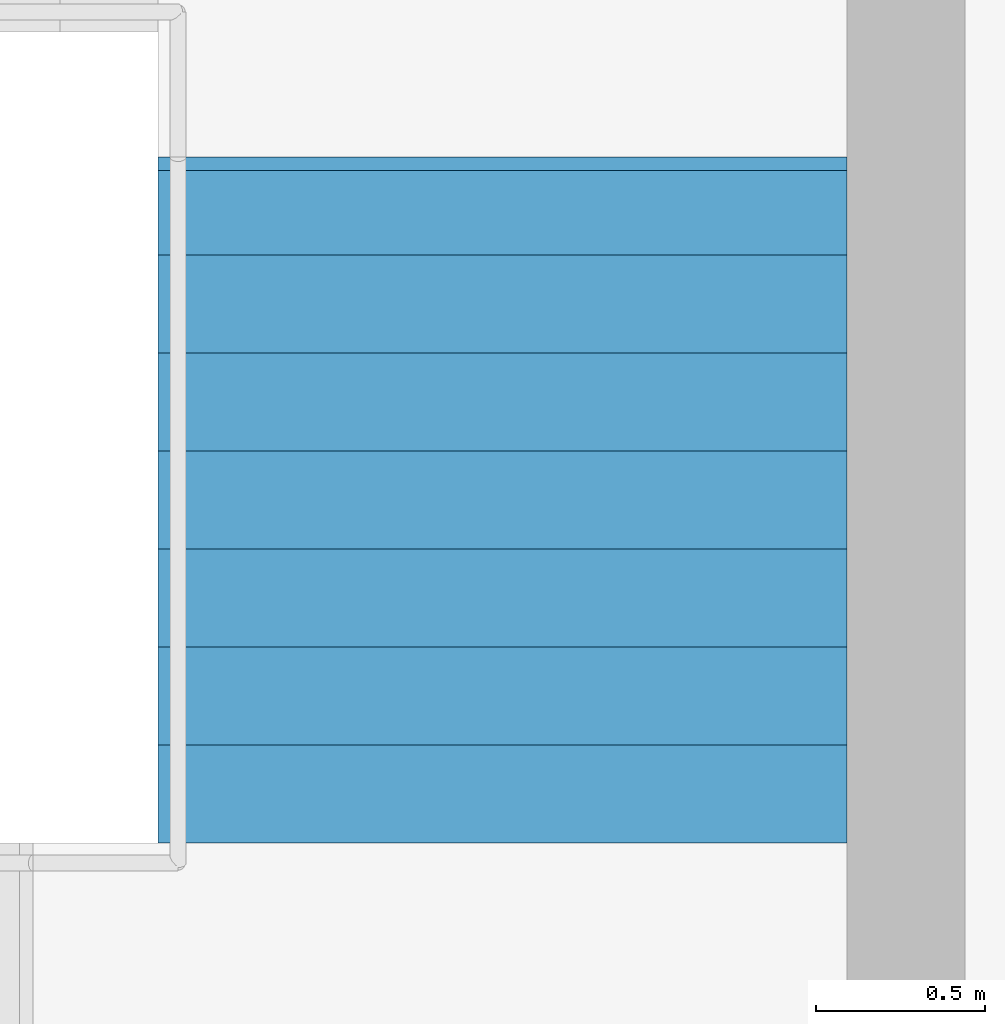
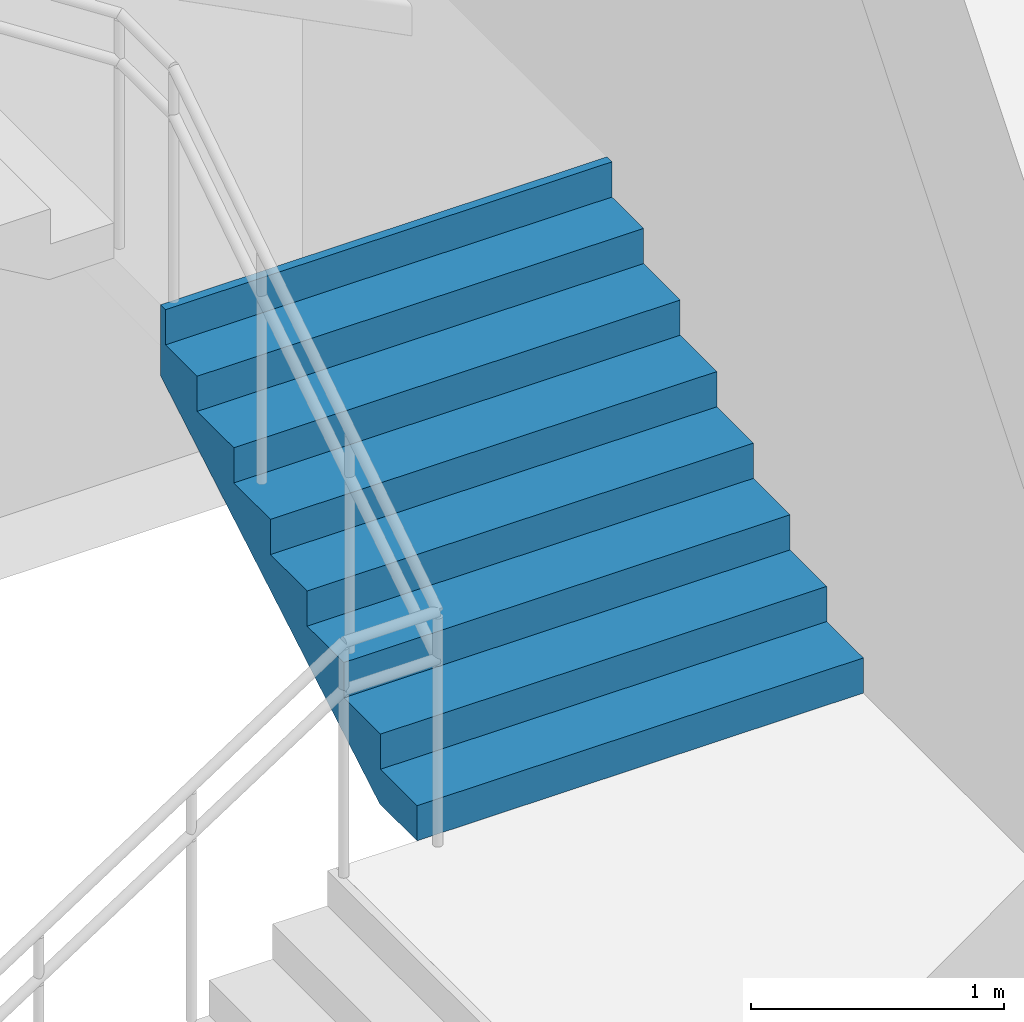
# One storey, part 28 of 50: 1 stair flight, 1 element without a shape of its own.
"""IFC4 building model written with IfcOpenShell, lengths in metres."""

from ifc_helpers import new_model, si_unit, direction, frame, origin, place, context, subcontext, project, spatial, triangles, material, type_object, element, aggregate, save


model = new_model("IFC4")

# Units and contexts
model_context = context("Model", 3, precision=1e-05, world=origin(), true_north=direction((0.0, 1.0)))
body_context = subcontext(model_context, "Body", "Model", "MODEL_VIEW")
ifc_project = project(units=[si_unit("LENGTHUNIT", "METRE"), si_unit("AREAUNIT", "SQUARE_METRE"), si_unit("VOLUMEUNIT", "CUBIC_METRE"), si_unit("PLANEANGLEUNIT", "RADIAN"), si_unit("MASSUNIT", "GRAM", prefix="KILO")], contexts=[model_context])

# Site, building, storey
site_placement = place(None, origin())
site = spatial("IfcSite", under=ifc_project, at=site_placement, CompositionType="ELEMENT")
building_placement = place(site_placement, origin())
building = spatial("IfcBuilding", under=site, at=building_placement, Name="Sillaruma Civic Art Gallery", CompositionType="ELEMENT")
storey_placement = place(building_placement, origin())
storey = spatial("IfcBuildingStorey", under=building, at=storey_placement, Name="L00", CompositionType="ELEMENT", Elevation=0.0)

# Stair, stair flight
ifc_material = material(Name="Concrete H35 (35 MPa)", Category="concrete")
stair_type = type_object("IfcStairType", Name="STR-4F-32", PredefinedType="USERDEFINED", material=ifc_material)
stair_placement = place(storey_placement, origin())
stair = element("IfcStair", 1, at=stair_placement, inside=storey, type_object=stair_type, Name="Protected Exit Stair ST-03 (West Bar South) (L00)", ObjectType="THREE_RETURN_STAIR", PredefinedType="USERDEFINED")
stair_flight_type = type_object("IfcStairFlightType", Name="SFL-STR-8", PredefinedType="STRAIGHT", material=ifc_material)
stair_flight_placement = place(storey_placement, frame((68.219970703125, 33.449951171875, 1.360107421875), z_axis=(0.0, 0.0, 1.0), x_axis=(0.0, 1.0, 0.0)))
stair_flight = element("IfcStairFlight", 2, at=stair_flight_placement, type_object=stair_flight_type, Name="ST-03 flight 2", NumberOfRisers=8, NumberOfTreads=7, PredefinedType="STRAIGHT", RiserHeight=0.17, TreadLength=0.29, context=body_context, shape_type="Tessellation", body=[
    triangles([(0.0, -1.02001953125, 0.0), (0.29, -1.02001953125, 0.0), (0.296443, -1.02001953125, 0.0), (0.58, -1.02001953125, 0.166223), (0.87, -1.02001953125, 0.336223), (1.16, -1.02001953125, 0.506223), (1.45, -1.02001953125, 0.676223), (1.74, -1.02001953125, 0.846223), (1.990029, -1.02001953125, 0.992792), (2.030029, -1.02001953125, 1.01624), (2.030029, -1.02001953125, 1.36), (1.990029, -1.02001953125, 1.36), (1.990029, -1.02001953125, 1.19), (1.74, -1.02001953125, 1.19), (1.74, -1.02001953125, 1.02), (1.45, -1.02001953125, 1.02), (1.45, -1.02001953125, 0.85), (1.16, -1.02001953125, 0.85), (1.16, -1.02001953125, 0.68), (0.87, -1.02001953125, 0.68), (0.87, -1.02001953125, 0.51), (0.58, -1.02001953125, 0.51), (0.58, -1.02001953125, 0.34), (0.296443, -1.02001953125, 0.34), (0.29, -1.02001953125, 0.34), (0.29, -1.02001953125, 0.17), (0.0, -1.02001953125, 0.17), (0.0, -0.05, 0.0), (0.29, -0.05, 0.0), (0.296443, -0.05, 0.0), (0.58, -0.05, 0.166223), (0.87, -0.05, 0.336223), (1.16, -0.05, 0.506223), (1.45, -0.05, 0.676223), (1.74, -0.05, 0.846223), (1.990029, -0.05, 0.992792), (2.030029, -0.05, 1.01624), (2.030029, -0.05, 1.36), (1.990029, -0.05, 1.36), (1.990029, -0.05, 1.19), (1.74, -0.05, 1.19), (1.74, -0.05, 1.02), (1.45, -0.05, 1.02), (1.45, -0.05, 0.85), (1.16, -0.05, 0.85), (1.16, -0.05, 0.68), (0.87, -0.05, 0.68), (0.87, -0.05, 0.51), (0.58, -0.05, 0.51), (0.58, -0.05, 0.34), (0.296443, -0.05, 0.34), (0.29, -0.05, 0.34), (0.29, -0.05, 0.17), (0.0, -0.05, 0.17), (0.0, -0.0375, 0.0), (0.29, -0.0375, 0.0), (0.296443, -0.0375, 0.0), (0.58, -0.0375, 0.166223), (0.87, -0.0375, 0.336223), (1.16, -0.0375, 0.506223), (1.45, -0.0375, 0.676223), (1.74, -0.0375, 0.846223), (1.990029, -0.0375, 0.992792), (2.030029, -0.0375, 1.01624), (2.030029, -0.0375, 1.36), (1.990029, -0.0375, 1.36), (1.990029, -0.0375, 1.19), (1.74, -0.0375, 1.19), (1.74, -0.0375, 1.02), (1.45, -0.0375, 1.02), (1.45, -0.0375, 0.85), (1.16, -0.0375, 0.85), (1.16, -0.0375, 0.68), (0.87, -0.0375, 0.68), (0.87, -0.0375, 0.51), (0.58, -0.0375, 0.51), (0.58, -0.0375, 0.34), (0.296443, -0.0375, 0.34), (0.29, -0.0375, 0.34), (0.29, -0.0375, 0.17), (0.0, -0.0375, 0.17), (0.0, -0.025, 0.0), (0.29, -0.025, 0.0), (0.296443, -0.025, 0.0), (0.58, -0.025, 0.166223), (0.87, -0.025, 0.336223), (1.16, -0.025, 0.506223), (1.45, -0.025, 0.676223), (1.74, -0.025, 0.846223), (1.990029, -0.025, 0.992792), (2.030029, -0.025, 1.01624), (2.030029, -0.025, 1.36), (1.990029, -0.025, 1.36), (1.990029, -0.025, 1.19), (1.74, -0.025, 1.19), (1.74, -0.025, 1.02), (1.45, -0.025, 1.02), (1.45, -0.025, 0.85), (1.16, -0.025, 0.85), (1.16, -0.025, 0.68), (0.87, -0.025, 0.68), (0.87, -0.025, 0.51), (0.58, -0.025, 0.51), (0.58, -0.025, 0.34), (0.296443, -0.025, 0.34), (0.29, -0.025, 0.34), (0.29, -0.025, 0.17), (0.0, -0.025, 0.17), (0.0, -0.0125, 0.0), (0.29, -0.0125, 0.0), (0.296443, -0.0125, 0.0), (0.58, -0.0125, 0.166223), (0.87, -0.0125, 0.336223), (1.16, -0.0125, 0.506223), (1.45, -0.0125, 0.676223), (1.74, -0.0125, 0.846223), (1.990029, -0.0125, 0.992792), (2.030029, -0.0125, 1.01624), (2.030029, -0.0125, 1.36), (1.990029, -0.0125, 1.36), (1.990029, -0.0125, 1.19), (1.74, -0.0125, 1.19), (1.74, -0.0125, 1.02), (1.45, -0.0125, 1.02), (1.45, -0.0125, 0.85), (1.16, -0.0125, 0.85), (1.16, -0.0125, 0.68), (0.87, -0.0125, 0.68), (0.87, -0.0125, 0.51), (0.58, -0.0125, 0.51), (0.58, -0.0125, 0.34), (0.296443, -0.0125, 0.34), (0.29, -0.0125, 0.34), (0.29, -0.0125, 0.17), (0.0, -0.0125, 0.17), (0.0, 0.0, 0.0), (0.29, 0.0, 0.0), (0.296443, 0.0, 0.0), (0.58, 0.0, 0.166223), (0.87, 0.0, 0.336223), (1.16, 0.0, 0.506223), (1.45, 0.0, 0.676223), (1.74, 0.0, 0.846223), (1.990029, 0.0, 0.992792), (2.030029, 0.0, 1.01624), (2.030029, 0.0, 1.36), (1.990029, 0.0, 1.36), (1.990029, 0.0, 1.19), (1.74, 0.0, 1.19), (1.74, 0.0, 1.02), (1.45, 0.0, 1.02), (1.45, 0.0, 0.85), (1.16, 0.0, 0.85), (1.16, 0.0, 0.68), (0.87, 0.0, 0.68), (0.87, 0.0, 0.51), (0.58, 0.0, 0.51), (0.58, 0.0, 0.34), (0.296443, 0.0, 0.34), (0.29, 0.0, 0.34), (0.29, 0.0, 0.17), (0.0, 0.0, 0.17), (0.0, 0.0125, 0.0), (0.29, 0.0125, 0.0), (0.296443, 0.0125, 0.0), (0.58, 0.0125, 0.166223), (0.87, 0.0125, 0.336223), (1.16, 0.0125, 0.506223), (1.45, 0.0125, 0.676223), (1.74, 0.0125, 0.846223), (1.990029, 0.0125, 0.992792), (2.030029, 0.0125, 1.01624), (2.030029, 0.0125, 1.36), (1.990029, 0.0125, 1.36), (1.990029, 0.0125, 1.19), (1.74, 0.0125, 1.19), (1.74, 0.0125, 1.02), (1.45, 0.0125, 1.02), (1.45, 0.0125, 0.85), (1.16, 0.0125, 0.85), (1.16, 0.0125, 0.68), (0.87, 0.0125, 0.68), (0.87, 0.0125, 0.51), (0.58, 0.0125, 0.51), (0.58, 0.0125, 0.34), (0.296443, 0.0125, 0.34), (0.29, 0.0125, 0.34), (0.29, 0.0125, 0.17), (0.0, 0.0125, 0.17), (0.0, 0.025, 0.0), (0.29, 0.025, 0.0), (0.296443, 0.025, 0.0), (0.58, 0.025, 0.166223), (0.87, 0.025, 0.336223), (1.16, 0.025, 0.506223), (1.45, 0.025, 0.676223), (1.74, 0.025, 0.846223), (1.990029, 0.025, 0.992792), (2.030029, 0.025, 1.01624), (2.030029, 0.025, 1.36), (1.990029, 0.025, 1.36), (1.990029, 0.025, 1.19), (1.74, 0.025, 1.19), (1.74, 0.025, 1.02), (1.45, 0.025, 1.02), (1.45, 0.025, 0.85), (1.16, 0.025, 0.85), (1.16, 0.025, 0.68), (0.87, 0.025, 0.68), (0.87, 0.025, 0.51), (0.58, 0.025, 0.51), (0.58, 0.025, 0.34), (0.296443, 0.025, 0.34), (0.29, 0.025, 0.34), (0.29, 0.025, 0.17), (0.0, 0.025, 0.17), (0.0, 0.0375, 0.0), (0.29, 0.0375, 0.0), (0.296443, 0.0375, 0.0), (0.58, 0.0375, 0.166223), (0.87, 0.0375, 0.336223), (1.16, 0.0375, 0.506223), (1.45, 0.0375, 0.676223), (1.74, 0.0375, 0.846223), (1.990029, 0.0375, 0.992792), (2.030029, 0.0375, 1.01624), (2.030029, 0.0375, 1.36), (1.990029, 0.0375, 1.36), (1.990029, 0.0375, 1.19), (1.74, 0.0375, 1.19), (1.74, 0.0375, 1.02), (1.45, 0.0375, 1.02), (1.45, 0.0375, 0.85), (1.16, 0.0375, 0.85), (1.16, 0.0375, 0.68), (0.87, 0.0375, 0.68), (0.87, 0.0375, 0.51), (0.58, 0.0375, 0.51), (0.58, 0.0375, 0.34), (0.296443, 0.0375, 0.34), (0.29, 0.0375, 0.34), (0.29, 0.0375, 0.17), (0.0, 0.0375, 0.17), (0.0, 0.05, 0.0), (0.29, 0.05, 0.0), (0.296443, 0.05, 0.0), (0.58, 0.05, 0.166223), (0.87, 0.05, 0.336223), (1.16, 0.05, 0.506223), (1.45, 0.05, 0.676223), (1.74, 0.05, 0.846223), (1.990029, 0.05, 0.992792), (2.030029, 0.05, 1.01624), (2.030029, 0.05, 1.36), (1.990029, 0.05, 1.36), (1.990029, 0.05, 1.19), (1.74, 0.05, 1.19), (1.74, 0.05, 1.02), (1.45, 0.05, 1.02), (1.45, 0.05, 0.85), (1.16, 0.05, 0.85), (1.16, 0.05, 0.68), (0.87, 0.05, 0.68), (0.87, 0.05, 0.51), (0.58, 0.05, 0.51), (0.58, 0.05, 0.34), (0.296443, 0.05, 0.34), (0.29, 0.05, 0.34), (0.29, 0.05, 0.17), (0.0, 0.05, 0.17), (0.0, 1.02001953125, 0.0), (0.29, 1.02001953125, 0.0), (0.296443, 1.02001953125, 0.0), (0.58, 1.02001953125, 0.166223), (0.87, 1.02001953125, 0.336223), (1.16, 1.02001953125, 0.506223), (1.45, 1.02001953125, 0.676223), (1.74, 1.02001953125, 0.846223), (1.990029, 1.02001953125, 0.992792), (2.030029, 1.02001953125, 1.01624), (2.030029, 1.02001953125, 1.36), (1.990029, 1.02001953125, 1.36), (1.990029, 1.02001953125, 1.19), (1.74, 1.02001953125, 1.19), (1.74, 1.02001953125, 1.02), (1.45, 1.02001953125, 1.02), (1.45, 1.02001953125, 0.85), (1.16, 1.02001953125, 0.85), (1.16, 1.02001953125, 0.68), (0.87, 1.02001953125, 0.68), (0.87, 1.02001953125, 0.51), (0.58, 1.02001953125, 0.51), (0.58, 1.02001953125, 0.34), (0.296443, 1.02001953125, 0.34), (0.29, 1.02001953125, 0.34), (0.29, 1.02001953125, 0.17), (0.0, 1.02001953125, 0.17)], [[1, 2, 26], [1, 26, 27], [2, 3, 24], [2, 24, 26], [26, 24, 25], [3, 4, 23], [3, 23, 24], [4, 5, 21], [4, 21, 23], [23, 21, 22], [5, 6, 19], [5, 19, 21], [21, 19, 20], [6, 7, 17], [6, 17, 19], [19, 17, 18], [7, 8, 15], [7, 15, 17], [17, 15, 16], [8, 9, 13], [8, 13, 15], [15, 13, 14], [9, 10, 11], [9, 11, 13], [13, 11, 12], [296, 272, 271], [297, 296, 271], [294, 273, 272], [296, 294, 272], [295, 294, 296], [293, 274, 273], [294, 293, 273], [291, 275, 274], [293, 291, 274], [292, 291, 293], [289, 276, 275], [291, 289, 275], [290, 289, 291], [287, 277, 276], [289, 287, 276], [288, 287, 289], [285, 278, 277], [287, 285, 277], [286, 285, 287], [283, 279, 278], [285, 283, 278], [284, 283, 285], [281, 280, 279], [283, 281, 279], [282, 281, 283], [2, 1, 28], [2, 28, 29], [3, 2, 29], [3, 29, 30], [4, 3, 30], [4, 30, 31], [5, 4, 31], [5, 31, 32], [6, 5, 32], [6, 32, 33], [7, 6, 33], [7, 33, 34], [8, 7, 34], [8, 34, 35], [9, 8, 35], [9, 35, 36], [10, 9, 36], [10, 36, 37], [11, 10, 37], [11, 37, 38], [12, 11, 38], [12, 38, 39], [13, 12, 39], [13, 39, 40], [14, 13, 40], [14, 40, 41], [15, 14, 41], [15, 41, 42], [16, 15, 42], [16, 42, 43], [17, 16, 43], [17, 43, 44], [18, 17, 44], [18, 44, 45], [19, 18, 45], [19, 45, 46], [20, 19, 46], [20, 46, 47], [21, 20, 47], [21, 47, 48], [22, 21, 48], [22, 48, 49], [23, 22, 49], [23, 49, 50], [24, 23, 50], [24, 50, 51], [25, 24, 51], [25, 51, 52], [26, 25, 52], [26, 52, 53], [27, 26, 53], [27, 53, 54], [1, 27, 54], [1, 54, 28], [29, 28, 55], [29, 55, 56], [30, 29, 56], [30, 56, 57], [31, 30, 57], [31, 57, 58], [32, 31, 58], [32, 58, 59], [33, 32, 59], [33, 59, 60], [34, 33, 60], [34, 60, 61], [35, 34, 61], [35, 61, 62], [36, 35, 62], [36, 62, 63], [37, 36, 63], [37, 63, 64], [38, 37, 64], [38, 64, 65], [39, 38, 65], [39, 65, 66], [40, 39, 66], [40, 66, 67], [41, 40, 67], [41, 67, 68], [42, 41, 68], [42, 68, 69], [43, 42, 69], [43, 69, 70], [44, 43, 70], [44, 70, 71], [45, 44, 71], [45, 71, 72], [46, 45, 72], [46, 72, 73], [47, 46, 73], [47, 73, 74], [48, 47, 74], [48, 74, 75], [49, 48, 75], [49, 75, 76], [50, 49, 76], [50, 76, 77], [51, 50, 77], [51, 77, 78], [52, 51, 78], [52, 78, 79], [53, 52, 79], [53, 79, 80], [54, 53, 80], [54, 80, 81], [28, 54, 81], [28, 81, 55], [56, 55, 82], [56, 82, 83], [57, 56, 83], [57, 83, 84], [58, 57, 84], [58, 84, 85], [59, 58, 85], [59, 85, 86], [60, 59, 86], [60, 86, 87], [61, 60, 87], [61, 87, 88], [62, 61, 88], [62, 88, 89], [63, 62, 89], [63, 89, 90], [64, 63, 90], [64, 90, 91], [65, 64, 91], [65, 91, 92], [66, 65, 92], [66, 92, 93], [67, 66, 93], [67, 93, 94], [68, 67, 94], [68, 94, 95], [69, 68, 95], [69, 95, 96], [70, 69, 96], [70, 96, 97], [71, 70, 97], [71, 97, 98], [72, 71, 98], [72, 98, 99], [73, 72, 99], [73, 99, 100], [74, 73, 100], [74, 100, 101], [75, 74, 101], [75, 101, 102], [76, 75, 102], [76, 102, 103], [77, 76, 103], [77, 103, 104], [78, 77, 104], [78, 104, 105], [79, 78, 105], [79, 105, 106], [80, 79, 106], [80, 106, 107], [81, 80, 107], [81, 107, 108], [55, 81, 108], [55, 108, 82], [83, 82, 109], [83, 109, 110], [84, 83, 110], [84, 110, 111], [85, 84, 111], [85, 111, 112], [86, 85, 112], [86, 112, 113], [87, 86, 113], [87, 113, 114], [88, 87, 114], [88, 114, 115], [89, 88, 115], [89, 115, 116], [90, 89, 116], [90, 116, 117], [91, 90, 117], [91, 117, 118], [92, 91, 118], [92, 118, 119], [93, 92, 119], [93, 119, 120], [94, 93, 120], [94, 120, 121], [95, 94, 121], [95, 121, 122], [96, 95, 122], [96, 122, 123], [97, 96, 123], [97, 123, 124], [98, 97, 124], [98, 124, 125], [99, 98, 125], [99, 125, 126], [100, 99, 126], [100, 126, 127], [101, 100, 127], [101, 127, 128], [102, 101, 128], [102, 128, 129], [103, 102, 129], [103, 129, 130], [104, 103, 130], [104, 130, 131], [105, 104, 131], [105, 131, 132], [106, 105, 132], [106, 132, 133], [107, 106, 133], [107, 133, 134], [108, 107, 134], [108, 134, 135], [82, 108, 135], [82, 135, 109], [110, 109, 136], [110, 136, 137], [111, 110, 137], [111, 137, 138], [112, 111, 138], [112, 138, 139], [113, 112, 139], [113, 139, 140], [114, 113, 140], [114, 140, 141], [115, 114, 141], [115, 141, 142], [116, 115, 142], [116, 142, 143], [117, 116, 143], [117, 143, 144], [118, 117, 144], [118, 144, 145], [119, 118, 145], [119, 145, 146], [120, 119, 146], [120, 146, 147], [121, 120, 147], [121, 147, 148], [122, 121, 148], [122, 148, 149], [123, 122, 149], [123, 149, 150], [124, 123, 150], [124, 150, 151], [125, 124, 151], [125, 151, 152], [126, 125, 152], [126, 152, 153], [127, 126, 153], [127, 153, 154], [128, 127, 154], [128, 154, 155], [129, 128, 155], [129, 155, 156], [130, 129, 156], [130, 156, 157], [131, 130, 157], [131, 157, 158], [132, 131, 158], [132, 158, 159], [133, 132, 159], [133, 159, 160], [134, 133, 160], [134, 160, 161], [135, 134, 161], [135, 161, 162], [109, 135, 162], [109, 162, 136], [137, 136, 163], [137, 163, 164], [138, 137, 164], [138, 164, 165], [139, 138, 165], [139, 165, 166], [140, 139, 166], [140, 166, 167], [141, 140, 167], [141, 167, 168], [142, 141, 168], [142, 168, 169], [143, 142, 169], [143, 169, 170], [144, 143, 170], [144, 170, 171], [145, 144, 171], [145, 171, 172], [146, 145, 172], [146, 172, 173], [147, 146, 173], [147, 173, 174], [148, 147, 174], [148, 174, 175], [149, 148, 175], [149, 175, 176], [150, 149, 176], [150, 176, 177], [151, 150, 177], [151, 177, 178], [152, 151, 178], [152, 178, 179], [153, 152, 179], [153, 179, 180], [154, 153, 180], [154, 180, 181], [155, 154, 181], [155, 181, 182], [156, 155, 182], [156, 182, 183], [157, 156, 183], [157, 183, 184], [158, 157, 184], [158, 184, 185], [159, 158, 185], [159, 185, 186], [160, 159, 186], [160, 186, 187], [161, 160, 187], [161, 187, 188], [162, 161, 188], [162, 188, 189], [136, 162, 189], [136, 189, 163], [164, 163, 190], [164, 190, 191], [165, 164, 191], [165, 191, 192], [166, 165, 192], [166, 192, 193], [167, 166, 193], [167, 193, 194], [168, 167, 194], [168, 194, 195], [169, 168, 195], [169, 195, 196], [170, 169, 196], [170, 196, 197], [171, 170, 197], [171, 197, 198], [172, 171, 198], [172, 198, 199], [173, 172, 199], [173, 199, 200], [174, 173, 200], [174, 200, 201], [175, 174, 201], [175, 201, 202], [176, 175, 202], [176, 202, 203], [177, 176, 203], [177, 203, 204], [178, 177, 204], [178, 204, 205], [179, 178, 205], [179, 205, 206], [180, 179, 206], [180, 206, 207], [181, 180, 207], [181, 207, 208], [182, 181, 208], [182, 208, 209], [183, 182, 209], [183, 209, 210], [184, 183, 210], [184, 210, 211], [185, 184, 211], [185, 211, 212], [186, 185, 212], [186, 212, 213], [187, 186, 213], [187, 213, 214], [188, 187, 214], [188, 214, 215], [189, 188, 215], [189, 215, 216], [163, 189, 216], [163, 216, 190], [191, 190, 217], [191, 217, 218], [192, 191, 218], [192, 218, 219], [193, 192, 219], [193, 219, 220], [194, 193, 220], [194, 220, 221], [195, 194, 221], [195, 221, 222], [196, 195, 222], [196, 222, 223], [197, 196, 223], [197, 223, 224], [198, 197, 224], [198, 224, 225], [199, 198, 225], [199, 225, 226], [200, 199, 226], [200, 226, 227], [201, 200, 227], [201, 227, 228], [202, 201, 228], [202, 228, 229], [203, 202, 229], [203, 229, 230], [204, 203, 230], [204, 230, 231], [205, 204, 231], [205, 231, 232], [206, 205, 232], [206, 232, 233], [207, 206, 233], [207, 233, 234], [208, 207, 234], [208, 234, 235], [209, 208, 235], [209, 235, 236], [210, 209, 236], [210, 236, 237], [211, 210, 237], [211, 237, 238], [212, 211, 238], [212, 238, 239], [213, 212, 239], [213, 239, 240], [214, 213, 240], [214, 240, 241], [215, 214, 241], [215, 241, 242], [216, 215, 242], [216, 242, 243], [190, 216, 243], [190, 243, 217], [218, 217, 244], [218, 244, 245], [219, 218, 245], [219, 245, 246], [220, 219, 246], [220, 246, 247], [221, 220, 247], [221, 247, 248], [222, 221, 248], [222, 248, 249], [223, 222, 249], [223, 249, 250], [224, 223, 250], [224, 250, 251], [225, 224, 251], [225, 251, 252], [226, 225, 252], [226, 252, 253], [227, 226, 253], [227, 253, 254], [228, 227, 254], [228, 254, 255], [229, 228, 255], [229, 255, 256], [230, 229, 256], [230, 256, 257], [231, 230, 257], [231, 257, 258], [232, 231, 258], [232, 258, 259], [233, 232, 259], [233, 259, 260], [234, 233, 260], [234, 260, 261], [235, 234, 261], [235, 261, 262], [236, 235, 262], [236, 262, 263], [237, 236, 263], [237, 263, 264], [238, 237, 264], [238, 264, 265], [239, 238, 265], [239, 265, 266], [240, 239, 266], [240, 266, 267], [241, 240, 267], [241, 267, 268], [242, 241, 268], [242, 268, 269], [243, 242, 269], [243, 269, 270], [217, 243, 270], [217, 270, 244], [245, 244, 271], [245, 271, 272], [246, 245, 272], [246, 272, 273], [247, 246, 273], [247, 273, 274], [248, 247, 274], [248, 274, 275], [249, 248, 275], [249, 275, 276], [250, 249, 276], [250, 276, 277], [251, 250, 277], [251, 277, 278], [252, 251, 278], [252, 278, 279], [253, 252, 279], [253, 279, 280], [254, 253, 280], [254, 280, 281], [255, 254, 281], [255, 281, 282], [256, 255, 282], [256, 282, 283], [257, 256, 283], [257, 283, 284], [258, 257, 284], [258, 284, 285], [259, 258, 285], [259, 285, 286], [260, 259, 286], [260, 286, 287], [261, 260, 287], [261, 287, 288], [262, 261, 288], [262, 288, 289], [263, 262, 289], [263, 289, 290], [264, 263, 290], [264, 290, 291], [265, 264, 291], [265, 291, 292], [266, 265, 292], [266, 292, 293], [267, 266, 293], [267, 293, 294], [268, 267, 294], [268, 294, 295], [269, 268, 295], [269, 295, 296], [270, 269, 296], [270, 296, 297], [244, 270, 297], [244, 297, 271]], closed=True),
])
aggregate(stair, [stair_flight])

save(model, "model.ifc")
